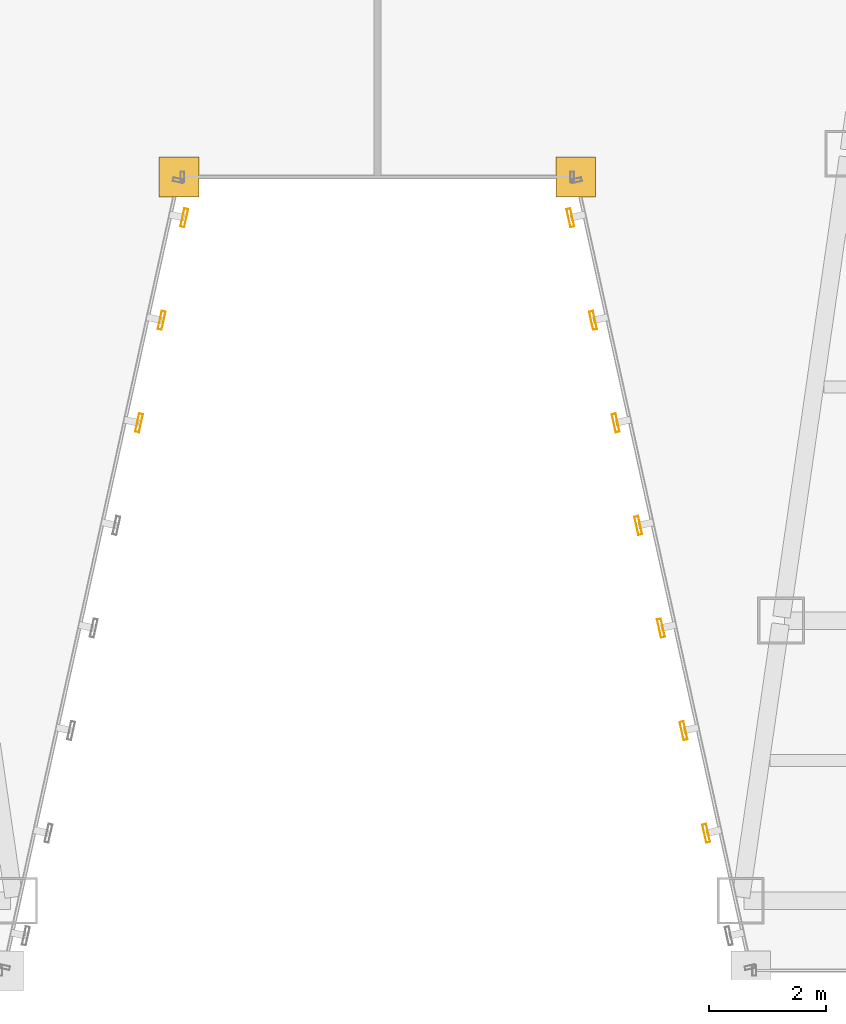
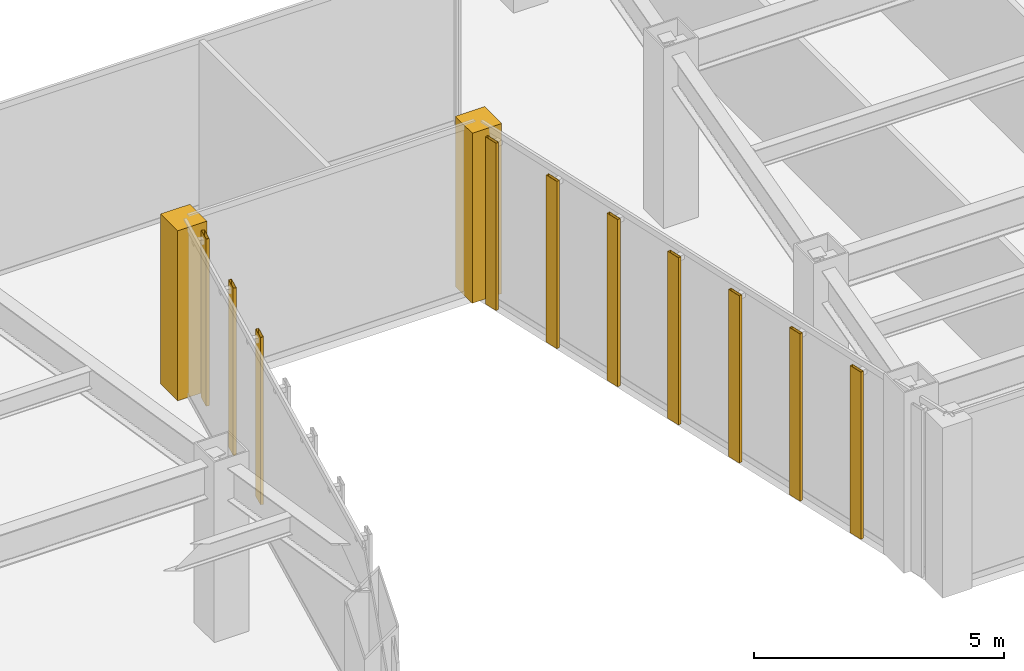
# One storey, part 42 of 47: 10 shading devices, 2 coverings.
"""IFC4 building model written with IfcOpenShell, lengths in metres."""

from ifc_helpers import new_model, si_unit, direction, frame, origin, origin_2d, place, context, subcontext, project, spatial, polyline, hollow_rectangle, outline, extrude, material, layer, layer_set, material_profile, profile_set, type_object, element, save


model = new_model("IFC4")

# Units and contexts
model_context = context("Model", 3, precision=1e-05, world=origin(), true_north=direction((0.0, 1.0)))
body_context = subcontext(model_context, "Body", "Model", "MODEL_VIEW")
ifc_project = project(units=[si_unit("LENGTHUNIT", "METRE"), si_unit("AREAUNIT", "SQUARE_METRE"), si_unit("VOLUMEUNIT", "CUBIC_METRE"), si_unit("PLANEANGLEUNIT", "RADIAN"), si_unit("MASSUNIT", "GRAM", prefix="KILO")], contexts=[model_context])

# Site, building, storey
site_placement = place(None, origin())
site = spatial("IfcSite", under=ifc_project, at=site_placement, CompositionType="ELEMENT")
building_placement = place(site_placement, origin())
building = spatial("IfcBuilding", under=site, at=building_placement, Name="Saevonmaru Cultural Tower", CompositionType="ELEMENT")
storey_placement = place(building_placement, frame((0.0, 0.0, 56.0)))
storey = spatial("IfcBuildingStorey", under=building, at=storey_placement, Name="L11", CompositionType="ELEMENT", Elevation=56.0)

# Coverings
ifc_material = material(Name="Satin Bronze Anodised Aluminium", Category="aluminium")
ifc_layer = layer(ifc_material, 0.679931640625, Name="Satin Bronze Anodised Aluminium")
ifc_layer_set = layer_set([ifc_layer], Name="Satin Bronze Anodised Aluminium")
covering_type = type_object("IfcCoveringType", Name="CV-CORNER-CLAD", PredefinedType="CLADDING", material=ifc_layer_set)
covering_1_placement = place(storey_placement, origin())
element("IfcCovering", 1, at=covering_1_placement, inside=storey, type_object=covering_type, Name="L11 Tower Bronze Corner Cladding Pier 4", PredefinedType="CLADDING", context=body_context, shape_type="SweptSolid", body=[
    extrude(outline(polyline([(26.260009765625, 15.260009765625), (26.93994140625, 15.260009765625), (26.93994140625, 15.93994140625), (26.260009765625, 15.93994140625), (26.260009765625, 15.260009765625)])), origin(), (0.0, 0.0, 1.0), 4.14990234375),
])
covering_2_placement = place(storey_placement, origin())
element("IfcCovering", 2, at=covering_2_placement, inside=storey, type_object=covering_type, Name="L11 Tower Bronze Corner Cladding Pier 5", PredefinedType="CLADDING", context=body_context, shape_type="SweptSolid", body=[
    extrude(outline(polyline([(33.06005859375, 15.260009765625), (33.739990234375, 15.260009765625), (33.739990234375, 15.93994140625), (33.06005859375, 15.93994140625), (33.06005859375, 15.260009765625)])), origin(), (0.0, 0.0, 1.0), 4.14990234375),
])

# Shading devices
ifc_material_profile = material_profile(ifc_material, hollow_rectangle(XDim=0.070068359375, YDim=0.320068359375, WallThickness=0.0048828125, at=origin_2d()), Name="FIN-320x70")
ifc_profile_set = profile_set([ifc_material_profile], Name="Satin Bronze Anodised Aluminium")
shading_device_type = type_object("IfcShadingDeviceType", Name="SHD-FIN-320", PredefinedType="JALOUSIE", material=ifc_profile_set)
for number, where, z_axis, x_axis, name in (
    (3, (25.916015625, 11.385009765625, 0.050048828125), (0.0, 0.0, 1.0), (0.976522126798, -0.215417120661, 0.0), "L11 Art Deco Sawtooth Bronze Fin E3-06"),
    (4, (26.3037109375, 13.142578125, 0.050048828125), (0.0, 0.0, 1.0), (0.976522126798, -0.215417120661, 0.0), "L11 Art Deco Sawtooth Bronze Fin E3-07"),
    (5, (26.69140625, 14.900390625, 0.050048828125), (0.0, 0.0, 1.0), (0.976522126798, -0.215417120661, 0.0), "L11 Art Deco Sawtooth Bronze Fin E3-08"),
    (6, (33.30859375, 14.900390625, 0.050048828125), (0.0, 0.0, 1.0), (-0.976522126798, -0.215417120661, 0.0), "L11 Art Deco Sawtooth Bronze Fin E5-01"),
    (7, (33.6962890625, 13.142578125, 0.050048828125), (0.0, 0.0, 1.0), (-0.976522126798, -0.215417120661, 0.0), "L11 Art Deco Sawtooth Bronze Fin E5-02"),
    (8, (34.083984375, 11.385009765625, 0.050048828125), (0.0, 0.0, 1.0), (-0.976522126798, -0.215417120661, 0.0), "L11 Art Deco Sawtooth Bronze Fin E5-03"),
    (9, (34.4716796875, 9.627197265625, 0.050048828125), (0.0, 0.0, 1.0), (-0.976522126798, -0.215417120661, 0.0), "L11 Art Deco Sawtooth Bronze Fin E5-04"),
    (10, (34.859619140625, 7.869384765625, 0.050048828125), (0.0, 0.0, 1.0), (-0.976522126798, -0.215417120661, 0.0), "L11 Art Deco Sawtooth Bronze Fin E5-05"),
    (11, (35.247314453125, 6.11181640625, 0.050048828125), (0.0, 0.0, 1.0), (-0.976522126798, -0.215417120661, 0.0), "L11 Art Deco Sawtooth Bronze Fin E5-06"),
    (12, (35.635009765625, 4.35400390625, 0.050048828125), (0.0, 0.0, 1.0), (-0.976522126798, -0.215417120661, 0.0), "L11 Art Deco Sawtooth Bronze Fin E5-07"),
):
    element("IfcShadingDevice", number, at=place(storey_placement, frame(where, z_axis=z_axis, x_axis=x_axis)), inside=storey, type_object=shading_device_type, Name=name, PredefinedType="JALOUSIE", context=body_context, shape_type="SweptSolid", body=[
        extrude(hollow_rectangle(XDim=0.070068359375, YDim=0.320068359375, WallThickness=0.0048828125, at=origin_2d()), origin(), (0.0, 0.0, 1.0), 4.079833984375),
    ])

save(model, "model.ifc")
